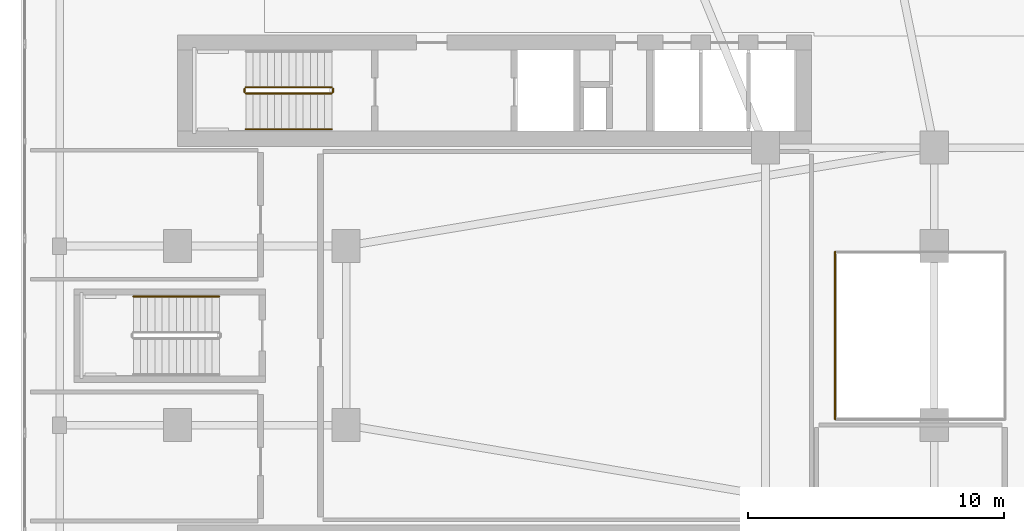
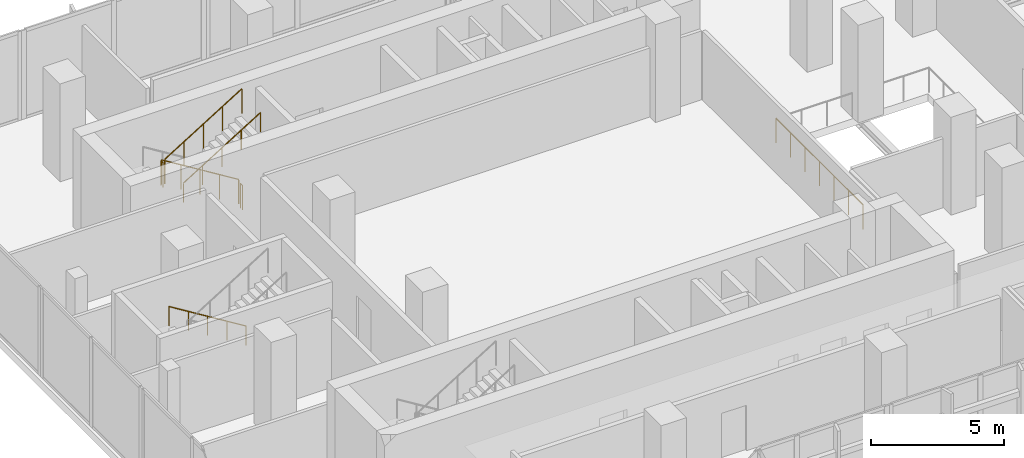
# One storey, part 21 of 31: 7 railings.
"""IFC4 building model written with IfcOpenShell, lengths in metres."""

from ifc_helpers import new_model, si_unit, derived_unit, direction, frame, origin, origin_2d, place, context, subcontext, project, spatial, circle, extrude, material, type_object, element, save


model = new_model("IFC4")

# Units and contexts
model_context = context("Model", 3, precision=1e-05, world=origin(), true_north=direction((0.0, 1.0)))
body_context = subcontext(model_context, "Body", "Model", "MODEL_VIEW")
ifc_project = project(units=[si_unit("LENGTHUNIT", "METRE"), si_unit("AREAUNIT", "SQUARE_METRE"), si_unit("VOLUMEUNIT", "CUBIC_METRE"), si_unit("PLANEANGLEUNIT", "RADIAN"), si_unit("MASSUNIT", "GRAM", prefix="KILO"), derived_unit("THERMALTRANSMITTANCEUNIT", [(si_unit("POWERUNIT", "WATT"), 1), (si_unit("LENGTHUNIT", "METRE"), -2), (si_unit("THERMODYNAMICTEMPERATUREUNIT", "KELVIN"), -1)])], contexts=[model_context])

# Site, building, storey
site_placement = place(None, origin())
site = spatial("IfcSite", under=ifc_project, at=site_placement, CompositionType="ELEMENT")
building_placement = place(site_placement, origin())
building = spatial("IfcBuilding", under=site, at=building_placement, Name="Kivonza Crest Hotel", CompositionType="ELEMENT")
storey_placement = place(building_placement, frame((0.0, 0.0, 15.0)))
storey = spatial("IfcBuildingStorey", under=building, at=storey_placement, Name="L03", CompositionType="ELEMENT", Elevation=15.0)

# Railings
ifc_material_1 = material(Name="Brushed stainless steel handrail", Category="steel")
railing_type_1 = type_object("IfcRailingType", Name="RL-HAND-900", PredefinedType="HANDRAIL", material=ifc_material_1)
railing_1_placement = place(storey_placement, frame((8.8798828125, 33.070068359375, 2.423095703125)))
element("IfcRailing", 1, at=railing_1_placement, inside=storey, type_object=railing_type_1, Name="L03 ST-T1-N stair handrail 2", PredefinedType="HANDRAIL", context=body_context, shape_type="SweptSolid", body=[
    extrude(circle(Radius=0.02392578125, at=origin_2d()), frame((0.0, 0.0, 0.8759765625), z_axis=(0.850623216509, 0.0, 0.525775754039), x_axis=(0.0, 1.0, 0.0)), (0.0, 0.0, 1.0), 3.9501953125),
    extrude(circle(Radius=0.02099609375, at=origin_2d()), origin(), (0.0, 0.0, 1.0), 0.851806640625),
    extrude(circle(Radius=0.02099609375, at=origin_2d()), frame((0.840087890625, 0.0, 0.519287109375)), (0.0, 0.0, 1.0), 0.851806640625),
    extrude(circle(Radius=0.02099609375, at=origin_2d()), frame((1.68017578125, 0.0, 1.03857421875)), (0.0, 0.0, 1.0), 0.851806640625),
    extrude(circle(Radius=0.02099609375, at=origin_2d()), frame((2.52001953125, 0.0, 1.5576171875)), (0.0, 0.0, 1.0), 0.851806640625),
    extrude(circle(Radius=0.02099609375, at=origin_2d()), frame((3.360107421875, 0.0, 2.076904296875)), (0.0, 0.0, 1.0), 0.851806640625),
])
railing_2_placement = place(storey_placement, frame((7.840087890625, 26.530029296875, 0.173095703125)))
element("IfcRailing", 2, at=railing_2_placement, inside=storey, type_object=railing_type_1, Name="L03 ST-POD-W stair handrail 1", PredefinedType="HANDRAIL", context=body_context, shape_type="SweptSolid", body=[
    extrude(circle(Radius=0.02392578125, at=origin_2d()), frame((0.0, 0.0, 0.8759765625), z_axis=(-0.850623216509, 0.0, 0.525775754039), x_axis=(0.0, -1.0, 0.0)), (0.0, 0.0, 1.0), 3.9501953125),
    extrude(circle(Radius=0.02099609375, at=origin_2d()), origin(), (0.0, 0.0, 1.0), 0.851806640625),
    extrude(circle(Radius=0.02099609375, at=origin_2d()), frame((-0.840087890625, 0.0, 0.519287109375)), (0.0, 0.0, 1.0), 0.851806640625),
    extrude(circle(Radius=0.02099609375, at=origin_2d()), frame((-1.68017578125, 0.0, 1.03857421875)), (0.0, 0.0, 1.0), 0.851806640625),
    extrude(circle(Radius=0.02099609375, at=origin_2d()), frame((-2.52001953125, 0.0, 1.5576171875)), (0.0, 0.0, 1.0), 0.851806640625),
    extrude(circle(Radius=0.02099609375, at=origin_2d()), frame((-3.360107421875, 0.0, 2.076904296875)), (0.0, 0.0, 1.0), 0.851806640625),
])
ifc_material_2 = material(Name="Painted steel balustrade", Category="steel")
railing_type_2 = type_object("IfcRailingType", Name="RL-STAIR-1150", PredefinedType="BALUSTRADE", material=ifc_material_2)
railing_3_placement = place(storey_placement, frame((12.239990234375, 34.7099609375, 0.173095703125)))
element("IfcRailing", 3, at=railing_3_placement, inside=storey, type_object=railing_type_2, Name="L03 ST-T1-N stair guard 1", PredefinedType="BALUSTRADE", context=body_context, shape_type="SweptSolid", body=[
    extrude(circle(Radius=0.02392578125, at=origin_2d()), frame((0.0, 0.0, 1.1259765625), z_axis=(-0.850623216509, 0.0, 0.525775754039), x_axis=(0.0, -1.0, 0.0)), (0.0, 0.0, 1.0), 3.9501953125),
    extrude(circle(Radius=0.02099609375, at=origin_2d()), origin(), (0.0, 0.0, 1.0), 1.101806640625),
    extrude(circle(Radius=0.02099609375, at=origin_2d()), frame((-0.840087890625, 0.0, 0.519287109375)), (0.0, 0.0, 1.0), 1.101806640625),
    extrude(circle(Radius=0.02099609375, at=origin_2d()), frame((-1.68017578125, 0.0, 1.03857421875)), (0.0, 0.0, 1.0), 1.101806640625),
    extrude(circle(Radius=0.02099609375, at=origin_2d()), frame((-2.52001953125, 0.0, 1.5576171875)), (0.0, 0.0, 1.0), 1.101806640625),
    extrude(circle(Radius=0.02099609375, at=origin_2d()), frame((-3.360107421875, 0.0, 2.076904296875)), (0.0, 0.0, 1.0), 1.101806640625),
])
railing_4_placement = place(storey_placement, frame((8.830078125, 34.659912109375, 2.25)))
element("IfcRailing", 4, at=railing_4_placement, inside=storey, type_object=railing_type_2, Name="L03 ST-T1-N stair guard 2", PredefinedType="BALUSTRADE", context=body_context, shape_type="SweptSolid", body=[
    extrude(circle(Radius=0.02392578125, at=origin_2d()), frame((0.0, 0.0, 1.1259765625), z_axis=(0.0, -1.0, 0.0), x_axis=(1.0, 0.0, 0.0)), (0.0, 0.0, 1.0), 0.139892578125),
    extrude(circle(Radius=0.02099609375, at=origin_2d()), origin(), (0.0, 0.0, 1.0), 1.101806640625),
    extrude(circle(Radius=0.02099609375, at=origin_2d()), frame((0.0, -0.139892578125, 0.0)), (0.0, 0.0, 1.0), 1.101806640625),
])
railing_5_placement = place(storey_placement, frame((8.8798828125, 34.469970703125, 2.423095703125)))
element("IfcRailing", 5, at=railing_5_placement, inside=storey, type_object=railing_type_2, Name="L03 ST-T1-N stair guard 3", PredefinedType="BALUSTRADE", context=body_context, shape_type="SweptSolid", body=[
    extrude(circle(Radius=0.02392578125, at=origin_2d()), frame((0.0, 0.0, 1.1259765625), z_axis=(0.850623216509, 0.0, 0.525775754039), x_axis=(0.0, 1.0, 0.0)), (0.0, 0.0, 1.0), 3.9501953125),
    extrude(circle(Radius=0.02099609375, at=origin_2d()), origin(), (0.0, 0.0, 1.0), 1.101806640625),
    extrude(circle(Radius=0.02099609375, at=origin_2d()), frame((0.840087890625, 0.0, 0.519287109375)), (0.0, 0.0, 1.0), 1.101806640625),
    extrude(circle(Radius=0.02099609375, at=origin_2d()), frame((1.68017578125, 0.0, 1.03857421875)), (0.0, 0.0, 1.0), 1.101806640625),
    extrude(circle(Radius=0.02099609375, at=origin_2d()), frame((2.52001953125, 0.0, 1.5576171875)), (0.0, 0.0, 1.0), 1.101806640625),
    extrude(circle(Radius=0.02099609375, at=origin_2d()), frame((3.360107421875, 0.0, 2.076904296875)), (0.0, 0.0, 1.0), 1.101806640625),
])
railing_6_placement = place(storey_placement, frame((12.2900390625, 34.659912109375, 0.0)))
element("IfcRailing", 6, at=railing_6_placement, inside=storey, type_object=railing_type_2, Name="L03 ST-T1-N stair guard 4", PredefinedType="BALUSTRADE", context=body_context, shape_type="SweptSolid", body=[
    extrude(circle(Radius=0.02392578125, at=origin_2d()), frame((0.0, 0.0, 1.1259765625), z_axis=(0.0, -1.0, 0.0), x_axis=(1.0, 0.0, 0.0)), (0.0, 0.0, 1.0), 0.139892578125),
    extrude(circle(Radius=0.02099609375, at=origin_2d()), origin(), (0.0, 0.0, 1.0), 1.101806640625),
    extrude(circle(Radius=0.02099609375, at=origin_2d()), frame((0.0, -0.139892578125, 0.0)), (0.0, 0.0, 1.0), 1.101806640625),
])
railing_7_placement = place(storey_placement, frame((31.919921875, 28.280029296875, 0.0)))
element("IfcRailing", 7, at=railing_7_placement, inside=storey, type_object=railing_type_2, Name="L03 podium atrium void safety guard 4", PredefinedType="BALUSTRADE", context=body_context, shape_type="SweptSolid", body=[
    extrude(circle(Radius=0.02392578125, at=origin_2d()), frame((0.0, 0.0, 1.1259765625), z_axis=(0.0, -1.0, 0.0), x_axis=(1.0, 0.0, 0.0)), (0.0, 0.0, 1.0), 6.56005859375),
    extrude(circle(Radius=0.02099609375, at=origin_2d()), origin(), (0.0, 0.0, 1.0), 1.101806640625),
    extrude(circle(Radius=0.02099609375, at=origin_2d()), frame((0.0, -1.09326171875, 0.0)), (0.0, 0.0, 1.0), 1.101806640625),
    extrude(circle(Radius=0.02099609375, at=origin_2d()), frame((0.0, -2.186767578125, 0.0)), (0.0, 0.0, 1.0), 1.101806640625),
    extrude(circle(Radius=0.02099609375, at=origin_2d()), frame((0.0, -3.280029296875, 0.0)), (0.0, 0.0, 1.0), 1.101806640625),
    extrude(circle(Radius=0.02099609375, at=origin_2d()), frame((0.0, -4.373291015625, 0.0)), (0.0, 0.0, 1.0), 1.101806640625),
    extrude(circle(Radius=0.02099609375, at=origin_2d()), frame((0.0, -5.466796875, 0.0)), (0.0, 0.0, 1.0), 1.101806640625),
    extrude(circle(Radius=0.02099609375, at=origin_2d()), frame((0.0, -6.56005859375, 0.0)), (0.0, 0.0, 1.0), 1.101806640625),
])

save(model, "model.ifc")
